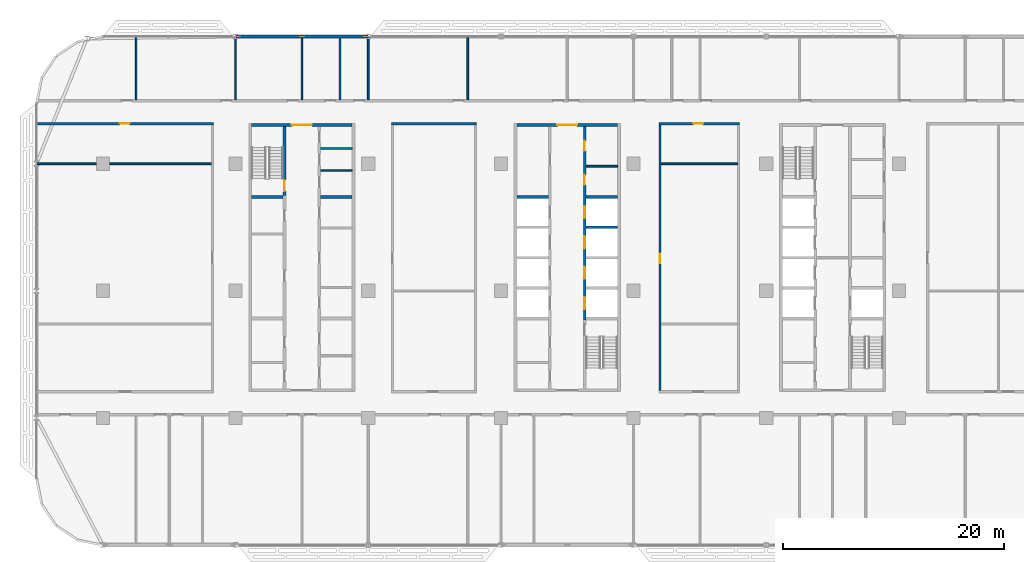
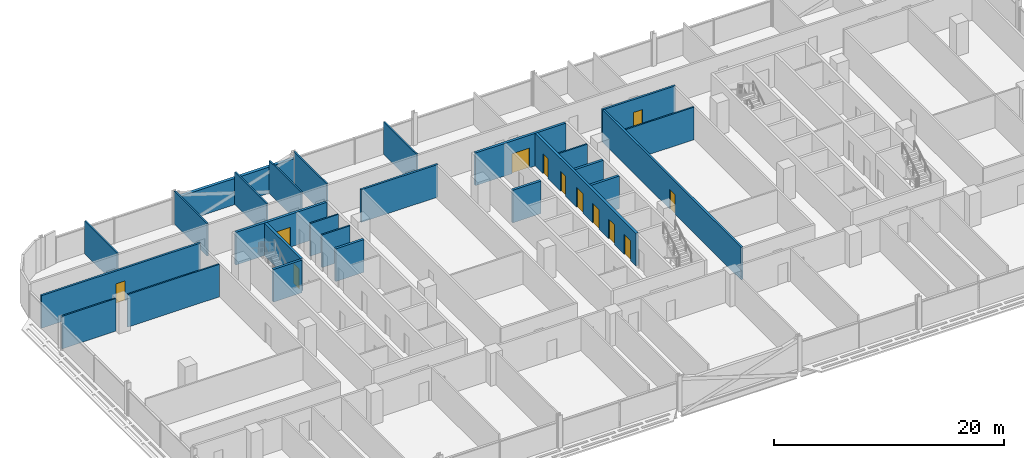
# One storey, part 13 of 27: 26 walls, 12 doors, 12 openings.
"""IFC4 building model written with IfcOpenShell, lengths in metres."""

from ifc_helpers import new_model, si_unit, direction, frame, frame_2d, origin, place, context, subcontext, project, spatial, rectangle, extrude, material, layer, layer_set, type_object, element, fill, save


model = new_model("IFC4")

# Units and contexts
model_context = context("Model", 3, precision=1e-05, world=origin(), true_north=direction((0.0, 1.0)))
body_context = subcontext(model_context, "Body", "Model", "MODEL_VIEW")
ifc_project = project(units=[si_unit("LENGTHUNIT", "METRE"), si_unit("AREAUNIT", "SQUARE_METRE"), si_unit("VOLUMEUNIT", "CUBIC_METRE"), si_unit("PLANEANGLEUNIT", "RADIAN"), si_unit("MASSUNIT", "GRAM", prefix="KILO")], contexts=[model_context])

# Site, building, storey
site_placement = place(None, origin())
site = spatial("IfcSite", under=ifc_project, at=site_placement, CompositionType="ELEMENT")
building_placement = place(site_placement, origin())
building = spatial("IfcBuilding", under=site, at=building_placement, Name="Mahtab Terrace Research Tower", CompositionType="ELEMENT")
storey_placement = place(building_placement, frame((0.0, 0.0, 182.0)))
storey = spatial("IfcBuildingStorey", under=building, at=storey_placement, Name="L43", CompositionType="ELEMENT", Elevation=182.0)

# Walls
ifc_material_1 = material(Name="Gypsum board partition")
ifc_layer_1 = layer(ifc_material_1, 0.14990234375)
ifc_layer_set_1 = layer_set([ifc_layer_1], Name="Core partition 150")
wall_type_1 = type_object("IfcWallType", Name="Core partition 150", PredefinedType="PARTITIONING", material=ifc_layer_set_1)
for number, where, z_axis, x_axis, name in (
    (1, (-22.300048828125, 10.875, 0.0), (0.0, 0.0, 1.0), (1.0, 0.0, 0.0), "Core wall A pEN788"),
    (2, (-22.300048828125, 12.875, 0.0), (0.0, 0.0, 1.0), (1.0, 0.0, 0.0), "Core wall A pEN988"),
    (3, (1.699951171875, 11.27490234375, 0.0), (0.0, 0.0, 1.0), (1.0, 0.0, 0.0), "Core wall B pEN828"),
):
    element("IfcWall", number, at=place(storey_placement, frame(where, z_axis=z_axis, x_axis=x_axis)), inside=storey, type_object=wall_type_1, Name=name, PredefinedType="PARTITIONING", context=body_context, shape_type="SweptSolid", body=[
        extrude(rectangle(XDim=2.85009765625, YDim=0.14990234375, at=frame_2d((1.425048828125, 0.0))), origin(), (0.0, 0.0, 1.0), 3.4599609375),
    ])

# Wall, opening, door
ifc_material_2 = material(Name="Concrete C70/85", Category="concrete")
ifc_layer_2 = layer(ifc_material_2, 0.25)
ifc_layer_set_2 = layer_set([ifc_layer_2], Name="Core wall 250")
wall_type_2 = type_object("IfcWallType", Name="Core wall 250", PredefinedType="SOLIDWALL", material=ifc_layer_set_2)
wall_1_placement = place(storey_placement, frame((-28.550048828125, 15.0, 0.0), z_axis=(0.0, 0.0, 1.0), x_axis=(1.0, 0.0, 0.0)))
wall_1 = element("IfcWall", 4, at=wall_1_placement, inside=storey, type_object=wall_type_2, Name="Core wall A endN", PredefinedType="SOLIDWALL", context=body_context, shape_type="SweptSolid", body=[
    extrude(rectangle(XDim=9.10009765625, YDim=0.25, at=frame_2d((4.550048828125, 0.0))), origin(), (0.0, 0.0, 1.0), 3.4599609375),
])
opening_1_placement = place(wall_1_placement, frame((3.64990234375, 0.0, 0.0)))
opening_1 = element("IfcOpeningElement", 5, at=opening_1_placement, cuts=wall_1, Name="Opening A-N1", PredefinedType="OPENING", context=body_context, shape_type="SweptSolid", body=[
    extrude(rectangle(XDim=1.800048828125, YDim=2.10009765625, at=frame_2d((0.89990234375, 1.050048828125))), frame((0.0, 0.135009765625, 0.0), z_axis=(0.0, -1.0, 0.0), x_axis=(1.0, 0.0, 0.0)), (0.0, 0.0, 1.0), 0.27001953125),
])
ifc_material_3 = material(Name="Steel fire door", Category="steel")
door_type_1 = type_object("IfcDoorType", Name="Lobby double door 1800x2100 1 HR", OperationType="DOUBLE_DOOR_SINGLE_SWING", PredefinedType="DOOR", material=ifc_material_3)
door_1_placement = place(opening_1_placement, origin())
door_1 = element("IfcDoor", 6, at=door_1_placement, inside=storey, type_object=door_type_1, Name="Core entrance door A N", OperationType="DOUBLE_DOOR_SINGLE_SWING", OverallHeight=2.10009765625, OverallWidth=1.800048828125, PredefinedType="DOOR", context=body_context, shape_type="SweptSolid", body=[
    extrude(rectangle(XDim=1.800048828125, YDim=2.10009765625, at=frame_2d((0.89990234375, 1.050048828125))), frame((0.0, 0.02490234375, 0.0), z_axis=(0.0, -1.0, 0.0), x_axis=(1.0, 0.0, 0.0)), (0.0, 0.0, 1.0), 0.050048828125),
])
fill(opening_1, door_1)

wall_2_placement = place(storey_placement, frame((-25.574951171875, 14.875, 0.0), z_axis=(0.0, 0.0, 1.0), x_axis=(0.0, -1.0, 0.0)))
wall_2 = element("IfcWall", 7, at=wall_2_placement, inside=storey, type_object=wall_type_2, Name="Core wall A innerWN", PredefinedType="SOLIDWALL", context=body_context, shape_type="SweptSolid", body=[
    extrude(rectangle(XDim=6.25, YDim=0.25, at=frame_2d((3.125, 0.0))), origin(), (0.0, 0.0, 1.0), 3.4599609375),
])
opening_2_placement = place(wall_2_placement, frame((4.85009765625, 0.0, 0.0)))
opening_2 = element("IfcOpeningElement", 8, at=opening_2_placement, cuts=wall_2, Name="Opening A-ST1", PredefinedType="OPENING", context=body_context, shape_type="SweptSolid", body=[
    extrude(rectangle(XDim=1.0, YDim=2.10009765625, at=frame_2d((0.5, 1.050048828125))), frame((0.0, 0.135009765625, 0.0), z_axis=(0.0, -1.0, 0.0), x_axis=(1.0, 0.0, 0.0)), (0.0, 0.0, 1.0), 0.27001953125),
])
door_type_2 = type_object("IfcDoorType", Name="Stair door 1000x2100 1.5 HR", OperationType="NOTDEFINED", PredefinedType="DOOR", material=ifc_material_3)
door_2_placement = place(opening_2_placement, origin())
door_2 = element("IfcDoor", 9, at=door_2_placement, inside=storey, type_object=door_type_2, Name="Stair door ST1 L43", OperationType="SINGLE_SWING_LEFT", OverallHeight=2.10009765625, OverallWidth=1.0, PredefinedType="DOOR", context=body_context, shape_type="SweptSolid", body=[
    extrude(rectangle(XDim=1.0, YDim=2.10009765625, at=frame_2d((0.5, 1.050048828125))), frame((0.0, 0.02490234375, 0.0), z_axis=(0.0, -1.0, 0.0), x_axis=(1.0, 0.0, 0.0)), (0.0, 0.0, 1.0), 0.050048828125),
])
fill(opening_2, door_2)

# Walls
for number, where, z_axis, x_axis, name in (
    (10, (-28.550048828125, 8.5, 0.0), (0.0, 0.0, 1.0), (1.0, 0.0, 0.0), "Core wall A divW4"),
    (11, (-22.300048828125, 8.5, 0.0), (0.0, 0.0, 1.0), (1.0, 0.0, 0.0), "Core wall A divE4"),
):
    element("IfcWall", number, at=place(storey_placement, frame(where, z_axis=z_axis, x_axis=x_axis)), inside=storey, type_object=wall_type_2, Name=name, PredefinedType="SOLIDWALL", context=body_context, shape_type="SweptSolid", body=[
        extrude(rectangle(XDim=2.85009765625, YDim=0.25, at=frame_2d((1.425048828125, 0.0))), origin(), (0.0, 0.0, 1.0), 3.4599609375),
    ])

# Wall, opening, door
wall_3_placement = place(storey_placement, frame((-4.550048828125, 15.0, 0.0), z_axis=(0.0, 0.0, 1.0), x_axis=(1.0, 0.0, 0.0)))
wall_3 = element("IfcWall", 12, at=wall_3_placement, inside=storey, type_object=wall_type_2, Name="Core wall B endN", PredefinedType="SOLIDWALL", context=body_context, shape_type="SweptSolid", body=[
    extrude(rectangle(XDim=9.10009765625, YDim=0.25, at=frame_2d((4.550048828125, 0.0))), origin(), (0.0, 0.0, 1.0), 3.4599609375),
])
opening_3_placement = place(wall_3_placement, frame((3.64990234375, 0.0, 0.0)))
opening_3 = element("IfcOpeningElement", 13, at=opening_3_placement, cuts=wall_3, Name="Opening B-N1", PredefinedType="OPENING", context=body_context, shape_type="SweptSolid", body=[
    extrude(rectangle(XDim=1.800048828125, YDim=2.10009765625, at=frame_2d((0.89990234375, 1.050048828125))), frame((0.0, 0.135009765625, 0.0), z_axis=(0.0, -1.0, 0.0), x_axis=(1.0, 0.0, 0.0)), (0.0, 0.0, 1.0), 0.27001953125),
])
door_3_placement = place(opening_3_placement, origin())
door_3 = element("IfcDoor", 14, at=door_3_placement, inside=storey, type_object=door_type_1, Name="Core entrance door B N", OperationType="DOUBLE_DOOR_SINGLE_SWING", OverallHeight=2.10009765625, OverallWidth=1.800048828125, PredefinedType="DOOR", context=body_context, shape_type="SweptSolid", body=[
    extrude(rectangle(XDim=1.800048828125, YDim=2.10009765625, at=frame_2d((0.89990234375, 1.050048828125))), frame((0.0, 0.02490234375, 0.0), z_axis=(0.0, -1.0, 0.0), x_axis=(1.0, 0.0, 0.0)), (0.0, 0.0, 1.0), 0.050048828125),
])
fill(opening_3, door_3)

# Wall, openings, doors
wall_4_placement = place(storey_placement, frame((1.574951171875, 14.875, 0.0), z_axis=(0.0, 0.0, 1.0), x_axis=(0.0, -1.0, 0.0)))
wall_4 = element("IfcWall", 15, at=wall_4_placement, inside=storey, type_object=wall_type_2, Name="Core wall B innerELN", PredefinedType="SOLIDWALL", context=body_context, shape_type="SweptSolid", body=[
    extrude(rectangle(XDim=17.5, YDim=0.25, at=frame_2d((8.75, 0.0))), origin(), (0.0, 0.0, 1.0), 3.4599609375),
])
opening_4_placement = place(wall_4_placement, frame((15.449951171875, 0.0, 0.0)))
opening_4 = element("IfcOpeningElement", 16, at=opening_4_placement, cuts=wall_4, Name="Opening LD13-L43", PredefinedType="OPENING", context=body_context, shape_type="SweptSolid", body=[
    extrude(rectangle(XDim=1.10009765625, YDim=2.10009765625, at=frame_2d((0.550048828125, 1.050048828125))), frame((0.0, 0.135009765625, 0.0), z_axis=(0.0, -1.0, 0.0), x_axis=(1.0, 0.0, 0.0)), (0.0, 0.0, 1.0), 0.27001953125),
])
opening_5_placement = place(wall_4_placement, frame((12.699951171875, 0.0, 0.0)))
opening_5 = element("IfcOpeningElement", 17, at=opening_5_placement, cuts=wall_4, Name="Opening LD14-L43", PredefinedType="OPENING", context=body_context, shape_type="SweptSolid", body=[
    extrude(rectangle(XDim=1.10009765625, YDim=2.10009765625, at=frame_2d((0.550048828125, 1.050048828125))), frame((0.0, 0.135009765625, 0.0), z_axis=(0.0, -1.0, 0.0), x_axis=(1.0, 0.0, 0.0)), (0.0, 0.0, 1.0), 0.27001953125),
])
opening_6_placement = place(wall_4_placement, frame((9.949951171875, 0.0, 0.0)))
opening_6 = element("IfcOpeningElement", 18, at=opening_6_placement, cuts=wall_4, Name="Opening LD15-L43", PredefinedType="OPENING", context=body_context, shape_type="SweptSolid", body=[
    extrude(rectangle(XDim=1.10009765625, YDim=2.10009765625, at=frame_2d((0.550048828125, 1.050048828125))), frame((0.0, 0.135009765625, 0.0), z_axis=(0.0, -1.0, 0.0), x_axis=(1.0, 0.0, 0.0)), (0.0, 0.0, 1.0), 0.27001953125),
])
opening_7_placement = place(wall_4_placement, frame((7.199951171875, 0.0, 0.0)))
opening_7 = element("IfcOpeningElement", 19, at=opening_7_placement, cuts=wall_4, Name="Opening LD16-L43", PredefinedType="OPENING", context=body_context, shape_type="SweptSolid", body=[
    extrude(rectangle(XDim=1.10009765625, YDim=2.10009765625, at=frame_2d((0.550048828125, 1.050048828125))), frame((0.0, 0.135009765625, 0.0), z_axis=(0.0, -1.0, 0.0), x_axis=(1.0, 0.0, 0.0)), (0.0, 0.0, 1.0), 0.27001953125),
])
opening_8_placement = place(wall_4_placement, frame((4.387451171875, 0.0, 0.0)))
opening_8 = element("IfcOpeningElement", 20, at=opening_8_placement, cuts=wall_4, Name="Opening B-R4", PredefinedType="OPENING", context=body_context, shape_type="SweptSolid", body=[
    extrude(rectangle(XDim=0.89990234375, YDim=2.10009765625, at=frame_2d((0.449951171875, 1.050048828125))), frame((0.0, 0.135009765625, 0.0), z_axis=(0.0, -1.0, 0.0), x_axis=(1.0, 0.0, 0.0)), (0.0, 0.0, 1.0), 0.27001953125),
])
opening_9_placement = place(wall_4_placement, frame((1.3125, 0.0, 0.0)))
opening_9 = element("IfcOpeningElement", 21, at=opening_9_placement, cuts=wall_4, Name="Opening B-R5", PredefinedType="OPENING", context=body_context, shape_type="SweptSolid", body=[
    extrude(rectangle(XDim=0.89990234375, YDim=2.10009765625, at=frame_2d((0.449951171875, 1.050048828125))), frame((0.0, 0.135009765625, 0.0), z_axis=(0.0, -1.0, 0.0), x_axis=(1.0, 0.0, 0.0)), (0.0, 0.0, 1.0), 0.27001953125),
])
ifc_material_4 = material(Name="Stainless steel AISI 304", Category="steel")
door_type_3 = type_object("IfcDoorType", Name="Landing door 1100x2100", OperationType="DOUBLE_DOOR_SLIDING", PredefinedType="DOOR", material=ifc_material_4)
door_4_placement = place(opening_4_placement, origin())
door_4 = element("IfcDoor", 22, at=door_4_placement, inside=storey, type_object=door_type_3, Name="Landing door HR5 L43", OperationType="DOUBLE_DOOR_SLIDING", OverallHeight=2.10009765625, OverallWidth=1.10009765625, PredefinedType="DOOR", context=body_context, shape_type="SweptSolid", body=[
    extrude(rectangle(XDim=1.10009765625, YDim=2.10009765625, at=frame_2d((0.550048828125, 1.050048828125))), frame((0.0, 0.02490234375, 0.0), z_axis=(0.0, -1.0, 0.0), x_axis=(1.0, 0.0, 0.0)), (0.0, 0.0, 1.0), 0.050048828125),
])
fill(opening_4, door_4)
door_5_placement = place(opening_5_placement, origin())
door_5 = element("IfcDoor", 23, at=door_5_placement, inside=storey, type_object=door_type_3, Name="Landing door HR6 L43", OperationType="DOUBLE_DOOR_SLIDING", OverallHeight=2.10009765625, OverallWidth=1.10009765625, PredefinedType="DOOR", context=body_context, shape_type="SweptSolid", body=[
    extrude(rectangle(XDim=1.10009765625, YDim=2.10009765625, at=frame_2d((0.550048828125, 1.050048828125))), frame((0.0, 0.02490234375, 0.0), z_axis=(0.0, -1.0, 0.0), x_axis=(1.0, 0.0, 0.0)), (0.0, 0.0, 1.0), 0.050048828125),
])
fill(opening_5, door_5)
door_6_placement = place(opening_6_placement, origin())
door_6 = element("IfcDoor", 24, at=door_6_placement, inside=storey, type_object=door_type_3, Name="Landing door HR7 L43", OperationType="DOUBLE_DOOR_SLIDING", OverallHeight=2.10009765625, OverallWidth=1.10009765625, PredefinedType="DOOR", context=body_context, shape_type="SweptSolid", body=[
    extrude(rectangle(XDim=1.10009765625, YDim=2.10009765625, at=frame_2d((0.550048828125, 1.050048828125))), frame((0.0, 0.02490234375, 0.0), z_axis=(0.0, -1.0, 0.0), x_axis=(1.0, 0.0, 0.0)), (0.0, 0.0, 1.0), 0.050048828125),
])
fill(opening_6, door_6)
door_7_placement = place(opening_7_placement, origin())
door_7 = element("IfcDoor", 25, at=door_7_placement, inside=storey, type_object=door_type_3, Name="Landing door HR8 L43", OperationType="DOUBLE_DOOR_SLIDING", OverallHeight=2.10009765625, OverallWidth=1.10009765625, PredefinedType="DOOR", context=body_context, shape_type="SweptSolid", body=[
    extrude(rectangle(XDim=1.10009765625, YDim=2.10009765625, at=frame_2d((0.550048828125, 1.050048828125))), frame((0.0, 0.02490234375, 0.0), z_axis=(0.0, -1.0, 0.0), x_axis=(1.0, 0.0, 0.0)), (0.0, 0.0, 1.0), 0.050048828125),
])
fill(opening_7, door_7)
door_type_4 = type_object("IfcDoorType", Name="Room door 900x2100 1 HR", OperationType="NOTDEFINED", PredefinedType="DOOR", material=ifc_material_3)
door_8_placement = place(opening_8_placement, origin())
door_8 = element("IfcDoor", 26, at=door_8_placement, inside=storey, type_object=door_type_4, Name="Accessible WC door", OperationType="SINGLE_SWING_RIGHT", OverallHeight=2.10009765625, OverallWidth=0.89990234375, PredefinedType="DOOR", context=body_context, shape_type="SweptSolid", body=[
    extrude(rectangle(XDim=0.89990234375, YDim=2.10009765625, at=frame_2d((0.449951171875, 1.050048828125))), frame((0.0, 0.02490234375, 0.0), z_axis=(0.0, -1.0, 0.0), x_axis=(1.0, 0.0, 0.0)), (0.0, 0.0, 1.0), 0.050048828125),
])
fill(opening_8, door_8)
door_9_placement = place(opening_9_placement, origin())
door_9 = element("IfcDoor", 27, at=door_9_placement, inside=storey, type_object=door_type_4, Name="WC block door", OperationType="SINGLE_SWING_LEFT", OverallHeight=2.10009765625, OverallWidth=0.89990234375, PredefinedType="DOOR", context=body_context, shape_type="SweptSolid", body=[
    extrude(rectangle(XDim=0.89990234375, YDim=2.10009765625, at=frame_2d((0.449951171875, 1.050048828125))), frame((0.0, 0.02490234375, 0.0), z_axis=(0.0, -1.0, 0.0), x_axis=(1.0, 0.0, 0.0)), (0.0, 0.0, 1.0), 0.050048828125),
])
fill(opening_9, door_9)

# Walls
for number, where, z_axis, x_axis, name in (
    (28, (-4.550048828125, 8.5, 0.0), (0.0, 0.0, 1.0), (1.0, 0.0, 0.0), "Core wall B divW4"),
    (29, (1.699951171875, 5.75, 0.0), (0.0, 0.0, 1.0), (1.0, 0.0, 0.0), "Core wall B divE3"),
    (30, (1.699951171875, 8.5, 0.0), (0.0, 0.0, 1.0), (1.0, 0.0, 0.0), "Core wall B divE4"),
):
    element("IfcWall", number, at=place(storey_placement, frame(where, z_axis=z_axis, x_axis=x_axis)), inside=storey, type_object=wall_type_2, Name=name, PredefinedType="SOLIDWALL", context=body_context, shape_type="SweptSolid", body=[
        extrude(rectangle(XDim=2.85009765625, YDim=0.25, at=frame_2d((1.425048828125, 0.0))), origin(), (0.0, 0.0, 1.0), 3.4599609375),
    ])
ifc_material_5 = material(Name="Black aluminium cladding panel", Category="aluminium")
ifc_layer_3 = layer(ifc_material_5, 0.300048828125)
ifc_layer_set_3 = layer_set([ifc_layer_3], Name="Opaque facade wall 300")
wall_type_3 = type_object("IfcWallType", Name="Opaque facade wall 300", PredefinedType="NOTDEFINED", material=ifc_layer_set_3)
wall_5_placement = place(storey_placement, frame((-18.014892578125, 23.0, 0.0), z_axis=(0.0, 0.0, 1.0), x_axis=(-1.0, 0.0, 0.0)))
element("IfcWall", 31, at=wall_5_placement, inside=storey, type_object=wall_type_3, Name="Opaque facade wall L43 N8", PredefinedType="NOTDEFINED", context=body_context, shape_type="SweptSolid", body=[
    extrude(rectangle(XDim=11.97021484375, YDim=0.300048828125, at=frame_2d((5.985107421875, 0.0))), origin(), (0.0, 0.0, 1.0), 2.78173828125),
])

# Wall, opening, door
ifc_material_6 = material(Name="Gypsum board corridor wall on steel studs", Category="steel")
ifc_layer_4 = layer(ifc_material_6, 0.199951171875)
ifc_layer_set_4 = layer_set([ifc_layer_4], Name="WALL CORRIDOR 200")
wall_type_4 = type_object("IfcWallType", Name="WALL CORRIDOR 200", PredefinedType="PARTITIONING", material=ifc_layer_set_4)
wall_6_placement = place(storey_placement, frame((-47.97509765625, 15.125, 0.0), z_axis=(0.0, 0.0, 1.0), x_axis=(1.0, 0.0, 0.0)))
wall_6 = element("IfcWall", 32, at=wall_6_placement, inside=storey, type_object=wall_type_4, Name="L43-W022", PredefinedType="PARTITIONING", context=body_context, shape_type="SweptSolid", body=[
    extrude(rectangle(XDim=15.97509765625, YDim=0.199951171875, at=frame_2d((7.987548828125, 0.0))), origin(), (0.0, 0.0, 1.0), 3.4599609375),
])
opening_10_placement = place(wall_6_placement, frame((7.5, 0.0, 0.0)))
opening_10 = element("IfcOpeningElement", 33, at=opening_10_placement, cuts=wall_6, Name="Opening L43-127", PredefinedType="OPENING", context=body_context, shape_type="SweptSolid", body=[
    extrude(rectangle(XDim=0.89990234375, YDim=2.10009765625, at=frame_2d((0.449951171875, 1.050048828125))), frame((0.0, 0.10986328125, 0.0), z_axis=(0.0, -1.0, 0.0), x_axis=(1.0, 0.0, 0.0)), (0.0, 0.0, 1.0), 0.219970703125),
])
ifc_material_7 = material(Name="Timber door leaf in steel frame", Category="steel")
door_type_5 = type_object("IfcDoorType", Name="DOOR 0900X2100 FD30S", OperationType="SINGLE_SWING_LEFT", PredefinedType="DOOR", material=ifc_material_7)
door_10_placement = place(opening_10_placement, origin())
door_10 = element("IfcDoor", 34, at=door_10_placement, inside=storey, type_object=door_type_5, Name="Door L43-127", OperationType="SINGLE_SWING_LEFT", OverallHeight=2.10009765625, OverallWidth=0.89990234375, PredefinedType="DOOR", context=body_context, shape_type="SweptSolid", body=[
    extrude(rectangle(XDim=0.89990234375, YDim=2.10009765625, at=frame_2d((0.449951171875, 1.050048828125))), frame((0.0, 0.02490234375, 0.0), z_axis=(0.0, -1.0, 0.0), x_axis=(1.0, 0.0, 0.0)), (0.0, 0.0, 1.0), 0.050048828125),
])
fill(opening_10, door_10)

# Wall
wall_7_placement = place(storey_placement, frame((-15.89990234375, 15.125, 0.0), z_axis=(0.0, 0.0, 1.0), x_axis=(1.0, 0.0, 0.0)))
element("IfcWall", 35, at=wall_7_placement, inside=storey, type_object=wall_type_4, Name="L43-W023", PredefinedType="PARTITIONING", context=body_context, shape_type="SweptSolid", body=[
    extrude(rectangle(XDim=7.699951171875, YDim=0.199951171875, at=frame_2d((3.85009765625, 0.0))), origin(), (0.0, 0.0, 1.0), 3.4599609375),
])

# Wall, opening, door
wall_8_placement = place(storey_placement, frame((8.300048828125, 15.125, 0.0), z_axis=(0.0, 0.0, 1.0), x_axis=(1.0, 0.0, 0.0)))
wall_8 = element("IfcWall", 36, at=wall_8_placement, inside=storey, type_object=wall_type_4, Name="L43-W024", PredefinedType="PARTITIONING", context=body_context, shape_type="SweptSolid", body=[
    extrude(rectangle(XDim=7.300048828125, YDim=0.199951171875, at=frame_2d((3.64990234375, 0.0))), origin(), (0.0, 0.0, 1.0), 3.4599609375),
])
opening_11_placement = place(wall_8_placement, frame((3.10009765625, 0.0, 0.0)))
opening_11 = element("IfcOpeningElement", 37, at=opening_11_placement, cuts=wall_8, Name="Opening L43-128", PredefinedType="OPENING", context=body_context, shape_type="SweptSolid", body=[
    extrude(rectangle(XDim=0.89990234375, YDim=2.10009765625, at=frame_2d((0.449951171875, 1.050048828125))), frame((0.0, 0.10986328125, 0.0), z_axis=(0.0, -1.0, 0.0), x_axis=(1.0, 0.0, 0.0)), (0.0, 0.0, 1.0), 0.219970703125),
])
door_11_placement = place(opening_11_placement, origin())
door_11 = element("IfcDoor", 38, at=door_11_placement, inside=storey, type_object=door_type_5, Name="Door L43-128", OperationType="SINGLE_SWING_RIGHT", OverallHeight=2.10009765625, OverallWidth=0.89990234375, PredefinedType="DOOR", context=body_context, shape_type="SweptSolid", body=[
    extrude(rectangle(XDim=0.89990234375, YDim=2.10009765625, at=frame_2d((0.449951171875, 1.050048828125))), frame((0.0, 0.02490234375, 0.0), z_axis=(0.0, -1.0, 0.0), x_axis=(1.0, 0.0, 0.0)), (0.0, 0.0, 1.0), 0.050048828125),
])
fill(opening_11, door_11)

wall_9_placement = place(storey_placement, frame((8.39990234375, -9.02490234375, 0.0), z_axis=(0.0, 0.0, 1.0), x_axis=(0.0, 1.0, 0.0)))
wall_9 = element("IfcWall", 39, at=wall_9_placement, inside=storey, type_object=wall_type_4, Name="L43-W047", PredefinedType="PARTITIONING", context=body_context, shape_type="SweptSolid", body=[
    extrude(rectangle(XDim=24.0498046875, YDim=0.199951171875, at=frame_2d((12.02490234375, 0.0))), origin(), (0.0, 0.0, 1.0), 3.4599609375),
])
opening_12_placement = place(wall_9_placement, frame((11.5, 0.0, 0.0)))
opening_12 = element("IfcOpeningElement", 40, at=opening_12_placement, cuts=wall_9, Name="Opening L43-123", PredefinedType="OPENING", context=body_context, shape_type="SweptSolid", body=[
    extrude(rectangle(XDim=0.89990234375, YDim=2.10009765625, at=frame_2d((0.449951171875, 1.050048828125))), frame((0.0, 0.10986328125, 0.0), z_axis=(0.0, -1.0, 0.0), x_axis=(1.0, 0.0, 0.0)), (0.0, 0.0, 1.0), 0.219970703125),
])
door_12_placement = place(opening_12_placement, origin())
door_12 = element("IfcDoor", 41, at=door_12_placement, inside=storey, type_object=door_type_5, Name="Door L43-123", OperationType="SINGLE_SWING_RIGHT", OverallHeight=2.10009765625, OverallWidth=0.89990234375, PredefinedType="DOOR", context=body_context, shape_type="SweptSolid", body=[
    extrude(rectangle(XDim=0.89990234375, YDim=2.10009765625, at=frame_2d((0.449951171875, 1.050048828125))), frame((0.0, 0.02490234375, 0.0), z_axis=(0.0, -1.0, 0.0), x_axis=(1.0, 0.0, 0.0)), (0.0, 0.0, 1.0), 0.050048828125),
])
fill(opening_12, door_12)

# Walls
ifc_material_8 = material(Name="Gypsum board partition on steel studs", Category="steel")
ifc_layer_5 = layer(ifc_material_8, 0.14990234375)
ifc_layer_set_5 = layer_set([ifc_layer_5], Name="WALL PARTITION 150")
wall_type_5 = type_object("IfcWallType", Name="WALL PARTITION 150", PredefinedType="PARTITIONING", material=ifc_layer_set_5)
wall_10_placement = place(storey_placement, frame((-47.97509765625, 11.5, 0.0), z_axis=(0.0, 0.0, 1.0), x_axis=(1.0, 0.0, 0.0)))
element("IfcWall", 42, at=wall_10_placement, inside=storey, type_object=wall_type_5, Name="L43-W019", PredefinedType="PARTITIONING", context=body_context, shape_type="SweptSolid", body=[
    extrude(rectangle(XDim=5.375, YDim=0.14990234375, at=frame_2d((2.6875, 0.0))), origin(), (0.0, 0.0, 1.0), 3.4599609375),
])
wall_11_placement = place(storey_placement, frame((-41.39990234375, 11.5, 0.0), z_axis=(0.0, 0.0, 1.0), x_axis=(1.0, 0.0, 0.0)))
element("IfcWall", 43, at=wall_11_placement, inside=storey, type_object=wall_type_5, Name="L43-W020", PredefinedType="PARTITIONING", context=body_context, shape_type="SweptSolid", body=[
    extrude(rectangle(XDim=9.199951171875, YDim=0.14990234375, at=frame_2d((4.60009765625, 0.0))), origin(), (0.0, 0.0, 1.0), 3.4599609375),
])
wall_12_placement = place(storey_placement, frame((8.5, 11.5, 0.0), z_axis=(0.0, 0.0, 1.0), x_axis=(1.0, 0.0, 0.0)))
element("IfcWall", 44, at=wall_12_placement, inside=storey, type_object=wall_type_5, Name="L43-W021", PredefinedType="PARTITIONING", context=body_context, shape_type="SweptSolid", body=[
    extrude(rectangle(XDim=6.89990234375, YDim=0.14990234375, at=frame_2d((3.449951171875, 0.0))), origin(), (0.0, 0.0, 1.0), 3.4599609375),
])
for number, where, z_axis, x_axis, name in (
    (45, (-39.0, 17.300048828125, 0.0), (0.0, 0.0, 1.0), (0.0, 1.0, 0.0), "L43-W028"),
    (46, (-30.0, 17.300048828125, 0.0), (0.0, 0.0, 1.0), (0.0, 1.0, 0.0), "L43-W032"),
):
    element("IfcWall", number, at=place(storey_placement, frame(where, z_axis=z_axis, x_axis=x_axis)), inside=storey, type_object=wall_type_5, Name=name, PredefinedType="PARTITIONING", context=body_context, shape_type="SweptSolid", body=[
        extrude(rectangle(XDim=5.675048828125, YDim=0.14990234375, at=frame_2d((2.83740234375, 0.0))), origin(), (0.0, 0.0, 1.0), 3.4599609375),
    ])
for number, where, z_axis, x_axis, name in (
    (47, (-24.0, 17.300048828125, 0.0), (0.0, 0.0, 1.0), (0.0, 1.0, 0.0), "L43-W034"),
    (48, (-20.550048828125, 17.300048828125, 0.0), (0.0, 0.0, 1.0), (0.0, 1.0, 0.0), "L43-W035"),
):
    element("IfcWall", number, at=place(storey_placement, frame(where, z_axis=z_axis, x_axis=x_axis)), inside=storey, type_object=wall_type_5, Name=name, PredefinedType="PARTITIONING", context=body_context, shape_type="SweptSolid", body=[
        extrude(rectangle(XDim=5.550048828125, YDim=0.14990234375, at=frame_2d((2.77490234375, 0.0))), origin(), (0.0, 0.0, 1.0), 3.4599609375),
    ])
for number, where, z_axis, x_axis, name in (
    (49, (-18.0, 17.300048828125, 0.0), (0.0, 0.0, 1.0), (0.0, 1.0, 0.0), "L43-W037"),
    (50, (-9.0, 17.300048828125, 0.0), (0.0, 0.0, 1.0), (0.0, 1.0, 0.0), "L43-W040"),
):
    element("IfcWall", number, at=place(storey_placement, frame(where, z_axis=z_axis, x_axis=x_axis)), inside=storey, type_object=wall_type_5, Name=name, PredefinedType="PARTITIONING", context=body_context, shape_type="SweptSolid", body=[
        extrude(rectangle(XDim=5.675048828125, YDim=0.14990234375, at=frame_2d((2.83740234375, 0.0))), origin(), (0.0, 0.0, 1.0), 3.4599609375),
    ])

save(model, "model.ifc")
